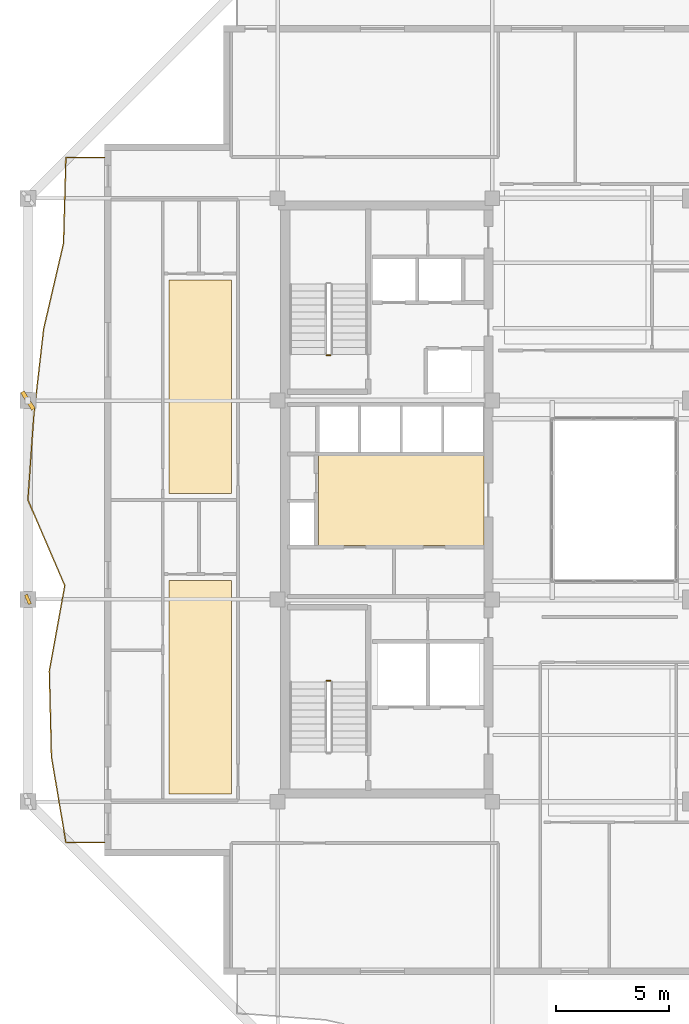
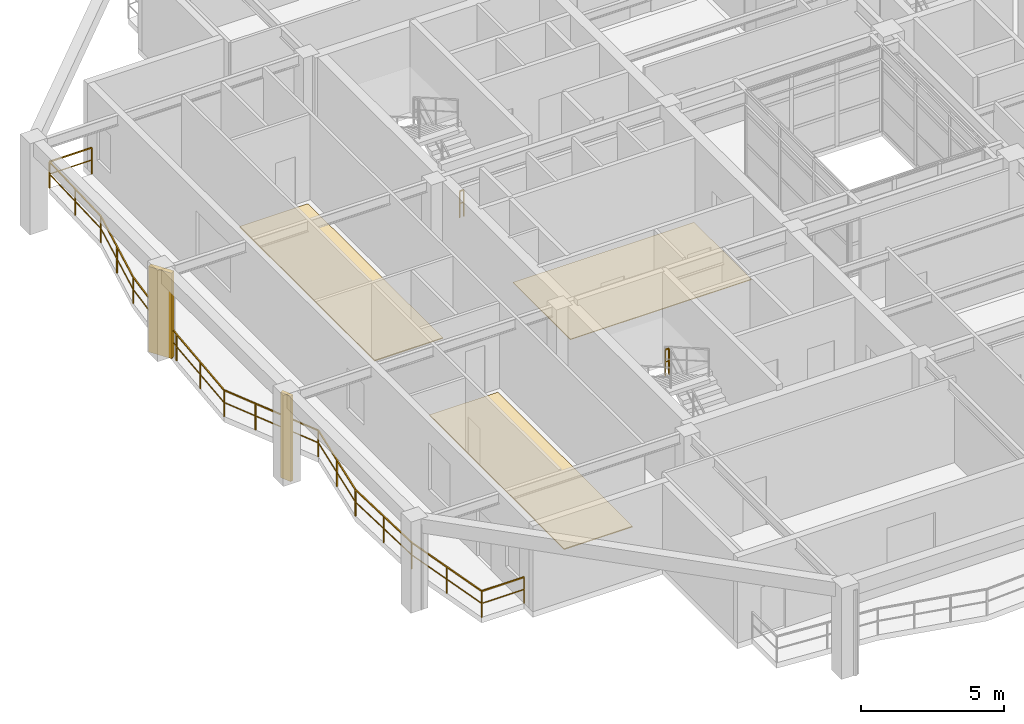
# One storey, part 12 of 15: 3 coverings, 3 railings, 2 shading devices.
"""IFC4 building model written with IfcOpenShell, lengths in metres."""

from ifc_helpers import new_model, si_unit, direction, frame, origin, origin_2d, place, context, subcontext, project, spatial, polyline, rectangle, outline, extrude, material, layer, layer_set, type_object, element, save


model = new_model("IFC4")

# Units and contexts
model_context = context("Model", 3, precision=1e-05, world=origin(), true_north=direction((0.0, 1.0)))
body_context = subcontext(model_context, "Body", "Model", "MODEL_VIEW")
ifc_project = project(units=[si_unit("LENGTHUNIT", "METRE"), si_unit("AREAUNIT", "SQUARE_METRE"), si_unit("VOLUMEUNIT", "CUBIC_METRE"), si_unit("PLANEANGLEUNIT", "RADIAN"), si_unit("MASSUNIT", "GRAM", prefix="KILO")], contexts=[model_context])

# Site, building, storey
site_placement = place(None, origin())
site = spatial("IfcSite", under=ifc_project, at=site_placement, CompositionType="ELEMENT")
building_placement = place(site_placement, origin())
building = spatial("IfcBuilding", under=site, at=building_placement, Name="Kundavana Baori Tower", CompositionType="ELEMENT")
storey_placement = place(building_placement, frame((0.0, 0.0, 214.10009765625)))
storey = spatial("IfcBuildingStorey", under=building, at=storey_placement, Name="L52", CompositionType="ELEMENT", Elevation=214.10009765625)

# Coverings
ifc_material_1 = material(Name="Honed Kota Stone and Terrazzo Flooring", Category="masonry")
ifc_layer_1 = layer(ifc_material_1, 0.0400390625, Name="COV-FLR-TERR-40")
ifc_layer_set_1 = layer_set([ifc_layer_1], Name="Honed Kota Stone and Terrazzo Flooring")
covering_type_1 = type_object("IfcCoveringType", Name="COV-FLR-TERR-40", PredefinedType="FLOORING", material=ifc_layer_set_1)
covering_1_placement = place(storey_placement, origin())
element("IfcCovering", 1, at=covering_1_placement, inside=storey, type_object=covering_type_1, Name="L52 Room Finished Stone Flooring 1", PredefinedType="FLOORING", context=body_context, shape_type="SweptSolid", body=[
    extrude(outline(polyline([(10.64990234375, 15.580078125), (13.419921875, 15.580078125), (13.419921875, 25.0400390625), (10.64990234375, 25.0400390625), (10.64990234375, 15.580078125)])), origin(), (0.0, 0.0, 1.0), 0.039794921875),
])
covering_2_placement = place(storey_placement, origin())
element("IfcCovering", 2, at=covering_2_placement, inside=storey, type_object=covering_type_1, Name="L52 Room Finished Stone Flooring 2", PredefinedType="FLOORING", context=body_context, shape_type="SweptSolid", body=[
    extrude(outline(polyline([(10.64990234375, 28.8798828125), (13.419921875, 28.8798828125), (13.419921875, 38.340087890625), (10.64990234375, 38.340087890625), (10.64990234375, 28.8798828125)])), origin(), (0.0, 0.0, 1.0), 0.039794921875),
])
ifc_material_2 = material(Name="Honed Kota Stone and Terrazzo Flooring", Category="masonry")
ifc_layer_2 = layer(ifc_material_2, 0.030029296875, Name="COV-INT-FLR")
ifc_layer_set_2 = layer_set([ifc_layer_2], Name="Honed Kota Stone and Terrazzo Flooring")
covering_type_2 = type_object("IfcCoveringType", Name="COV-INT-FLR", PredefinedType="FLOORING", material=ifc_layer_set_2)
covering_3_placement = place(storey_placement, origin())
element("IfcCovering", 3, at=covering_3_placement, inside=storey, type_object=covering_type_2, Name="L52 Core Lift Lobby Kota Stone Flooring", PredefinedType="FLOORING", context=body_context, shape_type="SweptSolid", body=[
    extrude(outline(polyline([(17.25, 26.580078125), (24.580078125, 26.580078125), (24.580078125, 30.60009765625), (17.25, 30.60009765625), (17.25, 26.580078125)])), origin(), (0.0, 0.0, 1.0), 0.02978515625),
])

# Railings
ifc_material_3 = material(Name="Architectural Patinated Bronze Metalwork")
railing_type_1 = type_object("IfcRailingType", Name="RL-BAL-1150", PredefinedType="BALUSTRADE", material=ifc_material_3)
railing_placement = place(storey_placement, frame((7.800048828125, 13.449951171875, 0.0)))
element("IfcRailing", 4, at=railing_placement, inside=storey, type_object=railing_type_1, Name="L52 Loggia Balcony Balustrade W", PredefinedType="BALUSTRADE", context=body_context, shape_type="SweptSolid", body=[
    extrude(rectangle(XDim=0.048095703125, YDim=0.048095703125, at=origin_2d()), frame((0.0, 0.0, 1.1259765625), z_axis=(-1.0, 0.0, 0.0), x_axis=(0.0, -1.0, 0.0)), (0.0, 0.0, 1.0), 1.719970703125),
    extrude(rectangle(XDim=0.03125, YDim=0.03125, at=origin_2d()), frame((0.0, 0.0, 0.597900390625), z_axis=(-1.0, 0.0, 0.0), x_axis=(0.0, -1.0, 0.0)), (0.0, 0.0, 1.0), 1.719970703125),
    extrude(rectangle(XDim=0.048095703125, YDim=0.048095703125, at=origin_2d()), frame((-1.719970703125, 0.0, 1.1259765625), z_axis=(-0.166871609429, 0.985978633626, 0.0), x_axis=(-0.985978633626, -0.166871609429, 0.0)), (0.0, 0.0, 1.0), 3.842041015625),
    extrude(rectangle(XDim=0.03125, YDim=0.03125, at=origin_2d()), frame((-1.719970703125, 0.0, 0.597900390625), z_axis=(-0.166871609429, 0.985978633626, 0.0), x_axis=(-0.985978633626, -0.166871609429, 0.0)), (0.0, 0.0, 1.0), 3.842041015625),
    extrude(rectangle(XDim=0.048095703125, YDim=0.048095703125, at=origin_2d()), frame((-2.361083984375, 3.7880859375, 1.1259765625), z_axis=(-0.024813452264, 0.999692098892, 0.0), x_axis=(-0.999692098892, -0.024813452264, 0.0)), (0.0, 0.0, 1.0), 3.7880859375),
    extrude(rectangle(XDim=0.03125, YDim=0.03125, at=origin_2d()), frame((-2.361083984375, 3.7880859375, 0.597900390625), z_axis=(-0.024813452264, 0.999692098892, 0.0), x_axis=(-0.999692098892, -0.024813452264, 0.0)), (0.0, 0.0, 1.0), 3.7880859375),
    extrude(rectangle(XDim=0.048095703125, YDim=0.048095703125, at=origin_2d()), frame((-2.455078125, 7.574951171875, 1.1259765625), z_axis=(0.178003342626, 0.984029882683, 0.0), x_axis=(-0.984029882683, 0.178003342626, 0.0)), (0.0, 0.0, 1.0), 3.8486328125),
    extrude(rectangle(XDim=0.03125, YDim=0.03125, at=origin_2d()), frame((-2.455078125, 7.574951171875, 0.597900390625), z_axis=(0.178003342626, 0.984029882683, 0.0), x_axis=(-0.984029882683, 0.178003342626, 0.0)), (0.0, 0.0, 1.0), 3.8486328125),
    extrude(rectangle(XDim=0.048095703125, YDim=0.048095703125, at=origin_2d()), frame((-1.77001953125, 11.362060546875, 1.1259765625), z_axis=(-0.395283544227, 0.918559154145, 0.0), x_axis=(-0.918559154145, -0.395283544227, 0.0)), (0.0, 0.0, 1.0), 4.1240234375),
    extrude(rectangle(XDim=0.03125, YDim=0.03125, at=origin_2d()), frame((-1.77001953125, 11.362060546875, 0.597900390625), z_axis=(-0.395283544227, 0.918559154145, 0.0), x_axis=(-0.918559154145, -0.395283544227, 0.0)), (0.0, 0.0, 1.0), 4.1240234375),
    extrude(rectangle(XDim=0.048095703125, YDim=0.048095703125, at=origin_2d()), frame((-3.400146484375, 15.150146484375, 1.1259765625), z_axis=(0.069314037463, 0.997594889828, 0.0), x_axis=(-0.997594889828, 0.069314037463, 0.0)), (0.0, 0.0, 1.0), 3.796875),
    extrude(rectangle(XDim=0.03125, YDim=0.03125, at=origin_2d()), frame((-3.400146484375, 15.150146484375, 0.597900390625), z_axis=(0.069314037463, 0.997594889828, 0.0), x_axis=(-0.997594889828, 0.069314037463, 0.0)), (0.0, 0.0, 1.0), 3.796875),
    extrude(rectangle(XDim=0.048095703125, YDim=0.048095703125, at=origin_2d()), frame((-3.136962890625, 18.93798828125, 1.1259765625), z_axis=(0.113306331836, 0.993560101436, 0.0), x_axis=(-0.993560101436, 0.113306331836, 0.0)), (0.0, 0.0, 1.0), 3.811767578125),
    extrude(rectangle(XDim=0.03125, YDim=0.03125, at=origin_2d()), frame((-3.136962890625, 18.93798828125, 0.597900390625), z_axis=(0.113306331836, 0.993560101436, 0.0), x_axis=(-0.993560101436, 0.113306331836, 0.0)), (0.0, 0.0, 1.0), 3.811767578125),
    extrude(rectangle(XDim=0.048095703125, YDim=0.048095703125, at=origin_2d()), frame((-2.705078125, 22.72509765625, 1.1259765625), z_axis=(0.226143540323, 0.974093988879, 0.0), x_axis=(-0.974093988879, 0.226143540323, 0.0)), (0.0, 0.0, 1.0), 3.8876953125),
    extrude(rectangle(XDim=0.03125, YDim=0.03125, at=origin_2d()), frame((-2.705078125, 22.72509765625, 0.597900390625), z_axis=(0.226143540323, 0.974093988879, 0.0), x_axis=(-0.974093988879, 0.226143540323, 0.0)), (0.0, 0.0, 1.0), 3.8876953125),
    extrude(rectangle(XDim=0.048095703125, YDim=0.048095703125, at=origin_2d()), frame((-1.825927734375, 26.511962890625, 1.1259765625), z_axis=(0.027960190916, 0.999609037436, 0.0), x_axis=(-0.999609037436, 0.027960190916, 0.0)), (0.0, 0.0, 1.0), 3.78955078125),
    extrude(rectangle(XDim=0.03125, YDim=0.03125, at=origin_2d()), frame((-1.825927734375, 26.511962890625, 0.597900390625), z_axis=(0.027960190916, 0.999609037436, 0.0), x_axis=(-0.999609037436, 0.027960190916, 0.0)), (0.0, 0.0, 1.0), 3.78955078125),
    extrude(rectangle(XDim=0.048095703125, YDim=0.048095703125, at=origin_2d()), frame((-1.719970703125, 30.300048828125, 1.1259765625), z_axis=(1.0, 0.0, 0.0), x_axis=(0.0, 1.0, 0.0)), (0.0, 0.0, 1.0), 1.719970703125),
    extrude(rectangle(XDim=0.03125, YDim=0.03125, at=origin_2d()), frame((-1.719970703125, 30.300048828125, 0.597900390625), z_axis=(1.0, 0.0, 0.0), x_axis=(0.0, 1.0, 0.0)), (0.0, 0.0, 1.0), 1.719970703125),
    extrude(rectangle(XDim=0.0419921875, YDim=0.0419921875, at=origin_2d()), origin(), (0.0, 0.0, 1.0), 1.101806640625),
    extrude(rectangle(XDim=0.0419921875, YDim=0.0419921875, at=origin_2d()), frame((-1.719970703125, 0.0, 0.0)), (0.0, 0.0, 1.0), 1.101806640625),
    extrude(rectangle(XDim=0.0419921875, YDim=0.0419921875, at=origin_2d()), frame((-2.04052734375, 1.89404296875, 0.0)), (0.0, 0.0, 1.0), 1.101806640625),
    extrude(rectangle(XDim=0.0419921875, YDim=0.0419921875, at=origin_2d()), frame((-2.361083984375, 3.7880859375, 0.0)), (0.0, 0.0, 1.0), 1.101806640625),
    extrude(rectangle(XDim=0.0419921875, YDim=0.0419921875, at=origin_2d()), frame((-2.408203125, 5.681640625, 0.0)), (0.0, 0.0, 1.0), 1.101806640625),
    extrude(rectangle(XDim=0.0419921875, YDim=0.0419921875, at=origin_2d()), frame((-2.455078125, 7.574951171875, 0.0)), (0.0, 0.0, 1.0), 1.101806640625),
    extrude(rectangle(XDim=0.0419921875, YDim=0.0419921875, at=origin_2d()), frame((-2.112548828125, 9.468505859375, 0.0)), (0.0, 0.0, 1.0), 1.101806640625),
    extrude(rectangle(XDim=0.0419921875, YDim=0.0419921875, at=origin_2d()), frame((-1.77001953125, 11.362060546875, 0.0)), (0.0, 0.0, 1.0), 1.101806640625),
    extrude(rectangle(XDim=0.0419921875, YDim=0.0419921875, at=origin_2d()), frame((-2.3134765625, 12.624755859375, 0.0)), (0.0, 0.0, 1.0), 1.101806640625),
    extrude(rectangle(XDim=0.0419921875, YDim=0.0419921875, at=origin_2d()), frame((-2.856689453125, 13.887451171875, 0.0)), (0.0, 0.0, 1.0), 1.101806640625),
    extrude(rectangle(XDim=0.0419921875, YDim=0.0419921875, at=origin_2d()), frame((-3.400146484375, 15.150146484375, 0.0)), (0.0, 0.0, 1.0), 1.101806640625),
    extrude(rectangle(XDim=0.0419921875, YDim=0.0419921875, at=origin_2d()), frame((-3.2685546875, 17.0439453125, 0.0)), (0.0, 0.0, 1.0), 1.101806640625),
    extrude(rectangle(XDim=0.0419921875, YDim=0.0419921875, at=origin_2d()), frame((-3.136962890625, 18.93798828125, 0.0)), (0.0, 0.0, 1.0), 1.101806640625),
    extrude(rectangle(XDim=0.0419921875, YDim=0.0419921875, at=origin_2d()), frame((-2.9208984375, 20.83154296875, 0.0)), (0.0, 0.0, 1.0), 1.101806640625),
    extrude(rectangle(XDim=0.0419921875, YDim=0.0419921875, at=origin_2d()), frame((-2.705078125, 22.72509765625, 0.0)), (0.0, 0.0, 1.0), 1.101806640625),
    extrude(rectangle(XDim=0.0419921875, YDim=0.0419921875, at=origin_2d()), frame((-2.265625, 24.61865234375, 0.0)), (0.0, 0.0, 1.0), 1.101806640625),
    extrude(rectangle(XDim=0.0419921875, YDim=0.0419921875, at=origin_2d()), frame((-1.825927734375, 26.511962890625, 0.0)), (0.0, 0.0, 1.0), 1.101806640625),
    extrude(rectangle(XDim=0.0419921875, YDim=0.0419921875, at=origin_2d()), frame((-1.77294921875, 28.406005859375, 0.0)), (0.0, 0.0, 1.0), 1.101806640625),
    extrude(rectangle(XDim=0.0419921875, YDim=0.0419921875, at=origin_2d()), frame((-1.719970703125, 30.300048828125, 0.0)), (0.0, 0.0, 1.0), 1.101806640625),
    extrude(rectangle(XDim=0.0419921875, YDim=0.0419921875, at=origin_2d()), frame((0.0, 30.300048828125, 0.0)), (0.0, 0.0, 1.0), 1.101806640625),
])
ifc_material_4 = material(Name="Architectural Patinated Bronze Metalwork")
railing_type_2 = type_object("IfcRailingType", Name="RL-GRD-1150", PredefinedType="GUARDRAIL", material=ifc_material_4)
for number, where, name in (
    (5, (17.7900390625, 20.60009765625, 1.949951171875), "L52 ST1 stair guard 2"),
    (6, (17.7900390625, 35.0, 0.0), "L52 ST2 stair guard 4"),
):
    element("IfcRailing", number, at=place(storey_placement, frame(where)), inside=storey, type_object=railing_type_2, Name=name, PredefinedType="GUARDRAIL", context=body_context, shape_type="SweptSolid", body=[
        extrude(rectangle(XDim=0.048095703125, YDim=0.048095703125, at=origin_2d()), frame((0.0, 0.0, 1.1259765625), z_axis=(-1.0, 0.0, 0.0), x_axis=(0.0, -1.0, 0.0)), (0.0, 0.0, 1.0), 0.16015625),
        extrude(rectangle(XDim=0.03125, YDim=0.03125, at=origin_2d()), frame((0.0, 0.0, 0.597900390625), z_axis=(-1.0, 0.0, 0.0), x_axis=(0.0, -1.0, 0.0)), (0.0, 0.0, 1.0), 0.16015625),
        extrude(rectangle(XDim=0.0419921875, YDim=0.0419921875, at=origin_2d()), origin(), (0.0, 0.0, 1.0), 1.101806640625),
        extrude(rectangle(XDim=0.0419921875, YDim=0.0419921875, at=origin_2d()), frame((-0.16015625, 0.0, 0.0)), (0.0, 0.0, 1.0), 1.101806640625),
    ])

# Shading devices
ifc_material_5 = material(Name="Red-Buff Dholpur Sandstone Cladding on Concrete C40/50", Category="masonry")
shading_device_type_1 = type_object("IfcShadingDeviceType", Name="SHD-FIN-920", PredefinedType="JALOUSIE", material=ifc_material_5)
shading_device_1_placement = place(storey_placement, frame((4.39990234375, 33.0, 0.0), z_axis=(0.0, 0.0, 1.0), x_axis=(0.84179353575, 0.539799632428, 0.0)))
element("IfcShadingDevice", 7, at=shading_device_1_placement, inside=storey, type_object=shading_device_type_1, Name="L52 Sweeping Dholpur Sandstone Facade Fin 7", PredefinedType="JALOUSIE", context=body_context, shape_type="SweptSolid", body=[
    extrude(rectangle(XDim=0.179931640625, YDim=0.919921875, at=origin_2d()), origin(), (0.0, 0.0, 1.0), 3.659912109375),
])
ifc_material_6 = material(Name="Architectural Patinated Bronze Metalwork")
shading_device_type_2 = type_object("IfcShadingDeviceType", Name="SHD-LOUV-450", PredefinedType="SHUTTER", material=ifc_material_6)
shading_device_2_placement = place(storey_placement, frame((4.39990234375, 24.199951171875, 0.0), z_axis=(0.0, 0.0, 1.0), x_axis=(0.913758299214, 0.40625825606, 0.0)))
element("IfcShadingDevice", 8, at=shading_device_2_placement, inside=storey, type_object=shading_device_type_2, Name="L52 Sweeping Dholpur Sandstone Facade Fin 6", PredefinedType="SHUTTER", context=body_context, shape_type="SweptSolid", body=[
    extrude(rectangle(XDim=0.139892578125, YDim=0.449951171875, at=origin_2d()), origin(), (0.0, 0.0, 1.0), 3.659912109375),
])

save(model, "model.ifc")
